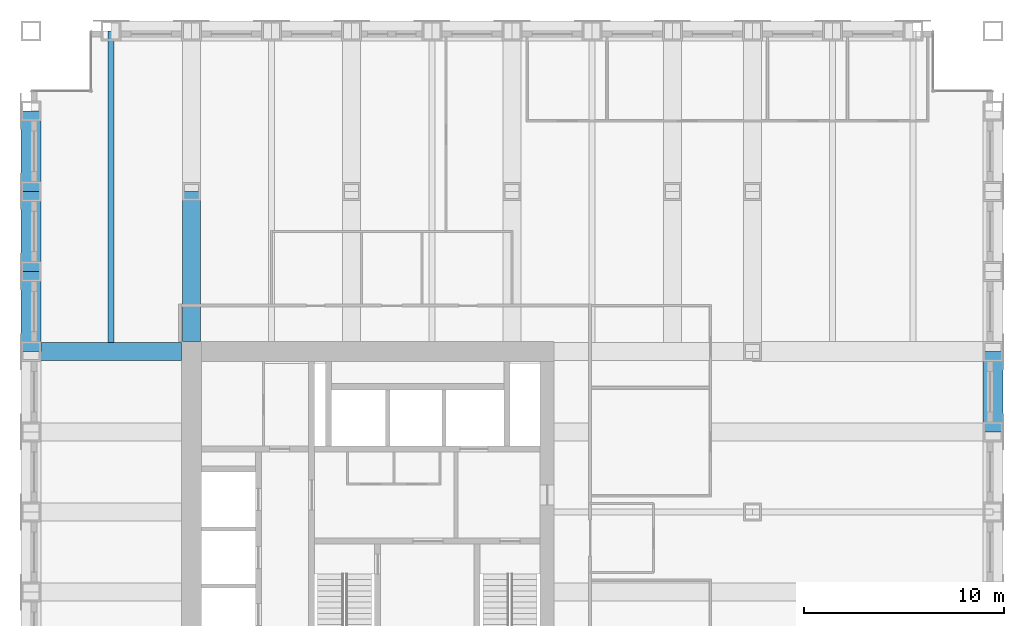
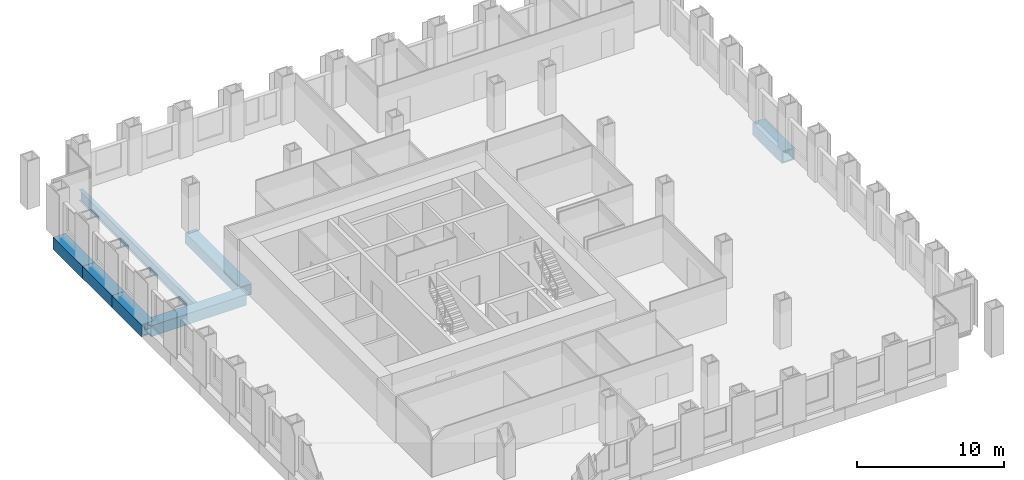
# One storey, part 5 of 15: 7 beams.
"""IFC4 building model written with IfcOpenShell, lengths in metres."""

from ifc_helpers import new_model, si_unit, direction, frame, origin, origin_2d, place, context, subcontext, project, spatial, hollow_rectangle, i_section, extrude, material, material_profile, profile_set, type_object, element, save


model = new_model("IFC4")

# Units and contexts
model_context = context("Model", 3, precision=1e-05, world=origin(), true_north=direction((0.0, 1.0)))
body_context = subcontext(model_context, "Body", "Model", "MODEL_VIEW")
ifc_project = project(units=[si_unit("LENGTHUNIT", "METRE"), si_unit("AREAUNIT", "SQUARE_METRE"), si_unit("VOLUMEUNIT", "CUBIC_METRE"), si_unit("PLANEANGLEUNIT", "RADIAN"), si_unit("MASSUNIT", "GRAM", prefix="KILO")], contexts=[model_context])

# Site, building, storey
site_placement = place(None, origin())
site = spatial("IfcSite", under=ifc_project, at=site_placement, CompositionType="ELEMENT")
building_placement = place(site_placement, origin())
building = spatial("IfcBuilding", under=site, at=building_placement, Name="Rimbunsela Tower", CompositionType="ELEMENT")
storey_placement = place(building_placement, frame((0.0, 0.0, 117.39990234375)))
storey = spatial("IfcBuildingStorey", under=building, at=storey_placement, Name="L28", CompositionType="ELEMENT", Elevation=117.39990234375)

# Beams
ifc_material_1 = material(Name="Steel BJ 55 (fy 410 MPa)", Category="steel")
ifc_material_profile_1 = material_profile(ifc_material_1, hollow_rectangle(XDim=1.0, YDim=1.0, WallThickness=0.10009765625, at=origin_2d()), Name="BOX 1000x1000x100")
ifc_profile_set_1 = profile_set([ifc_material_profile_1], Name="Steel BJ 55 (fy 410 MPa)")
beam_type_1 = type_object("IfcBeamType", Name="Beam BOX 1000x1000x100", PredefinedType="BEAM", material=ifc_profile_set_1)
for number, where, z_axis, x_axis, name in (
    (1, (10.0, 36.0, -0.64990234375), (0.0, 1.0, 0.0), (-1.0, 0.0, 0.0), "Beam B3 L28"),
    (2, (10.0, 40.0, -0.64990234375), (0.0, 1.0, 0.0), (-1.0, 0.0, 0.0), "Beam B3 L28"),
    (3, (10.0, 44.0, -0.64990234375), (0.0, 1.0, 0.0), (-1.0, 0.0, 0.0), "Beam B3 L28"),
    (4, (58.0, 32.0, -0.64990234375), (0.0, 1.0, 0.0), (-1.0, 0.0, 0.0), "Beam B3 L28"),
):
    element("IfcBeam", number, at=place(storey_placement, frame(where, z_axis=z_axis, x_axis=x_axis)), inside=storey, type_object=beam_type_1, Name=name, PredefinedType="BEAM", context=body_context, shape_type="SweptSolid", body=[
        extrude(hollow_rectangle(XDim=1.0, YDim=1.0, WallThickness=0.10009765625, at=origin_2d()), origin(), (0.0, 0.0, 1.0), 4.0),
    ])
ifc_material_2 = material(Name="Steel BJ 55 (fy 410 MPa)", Category="steel")
ifc_material_profile_2 = material_profile(ifc_material_2, hollow_rectangle(XDim=0.89990234375, YDim=0.89990234375, WallThickness=0.06005859375, at=origin_2d()), Name="BOX 900x900x60")
ifc_profile_set_2 = profile_set([ifc_material_profile_2], Name="Steel BJ 55 (fy 410 MPa)")
beam_type_2 = type_object("IfcBeamType", Name="Beam BOX 900x900x60", PredefinedType="BEAM", material=ifc_profile_set_2)
for number, where, z_axis, x_axis, name in (
    (5, (10.0, 36.0, -0.599853515625), (1.0, 0.0, 0.0), (0.0, 1.0, 0.0), "Beam B1 L28"),
    (6, (18.0, 36.5, -0.599853515625), (0.0, 1.0, 0.0), (-1.0, 0.0, 0.0), "Beam B1 L28"),
):
    element("IfcBeam", number, at=place(storey_placement, frame(where, z_axis=z_axis, x_axis=x_axis)), inside=storey, type_object=beam_type_2, Name=name, PredefinedType="BEAM", context=body_context, shape_type="SweptSolid", body=[
        extrude(hollow_rectangle(XDim=0.89990234375, YDim=0.89990234375, WallThickness=0.06005859375, at=origin_2d()), origin(), (0.0, 0.0, 1.0), 7.5),
    ])
ifc_material_3 = material(Name="Steel BJ 55 (fy 410 MPa)", Category="steel")
ifc_material_profile_3 = material_profile(ifc_material_3, i_section(OverallWidth=0.300048828125, OverallDepth=0.89990234375, WebThickness=0.01611328125, FlangeThickness=0.028076171875, FilletRadius=0.028076171875, at=origin_2d()), Name="H 900x300x16x28")
ifc_profile_set_3 = profile_set([ifc_material_profile_3], Name="Steel BJ 55 (fy 410 MPa)")
beam_type_3 = type_object("IfcBeamType", Name="Beam H 900x300x16x28", PredefinedType="BEAM", material=ifc_profile_set_3)
beam_placement = place(storey_placement, frame((14.0, 36.449951171875, -0.599853515625), z_axis=(0.0, 1.0, 0.0), x_axis=(-1.0, 0.0, 0.0)))
element("IfcBeam", 7, at=beam_placement, inside=storey, type_object=beam_type_3, Name="Beam B2 L28", PredefinedType="BEAM", context=body_context, shape_type="SweptSolid", body=[
    extrude(i_section(OverallWidth=0.300048828125, OverallDepth=0.89990234375, WebThickness=0.01611328125, FlangeThickness=0.028076171875, FilletRadius=0.028076171875, at=origin_2d()), origin(), (0.0, 0.0, 1.0), 15.550048828125),
])

save(model, "model.ifc")
